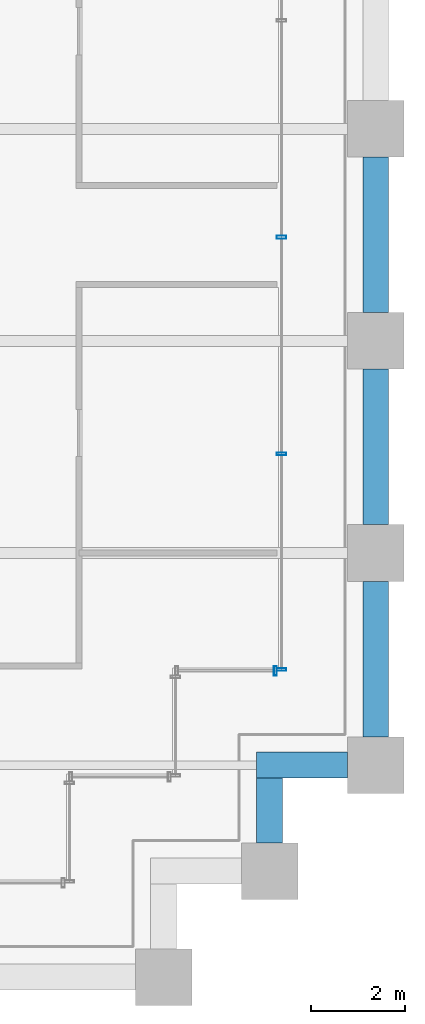
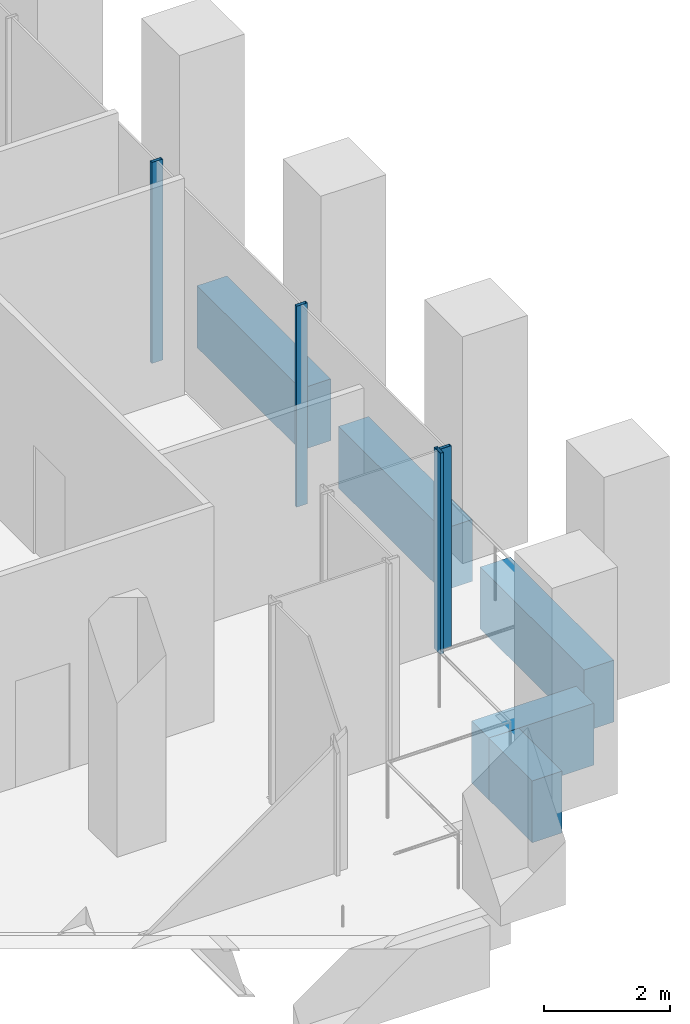
# One storey, part 26 of 36: 5 beams, 4 members, 2 elements without a shape of their own.
"""IFC4 building model written with IfcOpenShell, lengths in metres."""

from ifc_helpers import new_model, si_unit, direction, frame, origin, origin_2d, place, context, subcontext, project, spatial, rectangle, hollow_rectangle, extrude, material, material_profile, profile_set, type_object, element, aggregate, save


model = new_model("IFC4")

# Units and contexts
model_context = context("Model", 3, precision=1e-05, world=origin(), true_north=direction((0.0, 1.0)))
body_context = subcontext(model_context, "Body", "Model", "MODEL_VIEW")
ifc_project = project(units=[si_unit("LENGTHUNIT", "METRE"), si_unit("AREAUNIT", "SQUARE_METRE"), si_unit("VOLUMEUNIT", "CUBIC_METRE"), si_unit("PLANEANGLEUNIT", "RADIAN"), si_unit("MASSUNIT", "GRAM", prefix="KILO")], contexts=[model_context])

# Site, building, storey
site_placement = place(None, origin())
site = spatial("IfcSite", under=ifc_project, at=site_placement, CompositionType="ELEMENT")
building_placement = place(site_placement, origin())
building = spatial("IfcBuilding", under=site, at=building_placement, Name="Altepetl Exchange Towers", CompositionType="ELEMENT")
storey_placement = place(building_placement, frame((0.0, 0.0, 34.199951171875)))
storey = spatial("IfcBuildingStorey", under=building, at=storey_placement, Name="L07", CompositionType="ELEMENT", Elevation=34.199951171875)

# Curtain wall, member
ifc_material_1 = material(Name="Aluminium 6063-T6 glazing", Category="aluminium")
curtain_wall_type = type_object("IfcCurtainWallType", Name="Trading floor glazing system", PredefinedType="NOTDEFINED", material=ifc_material_1)
curtain_wall_1_placement = place(storey_placement, origin())
curtain_wall_1 = element("IfcCurtainWall", 1, at=curtain_wall_1_placement, inside=storey, type_object=curtain_wall_type, Name="CW2 run", PredefinedType="NOTDEFINED")
ifc_material_2 = material(Name="Aluminium 6063-T6", Category="aluminium")
ifc_material_profile_1 = material_profile(ifc_material_2, hollow_rectangle(XDim=0.06005859375, YDim=0.199951171875, WallThickness=0.0029296875, at=origin_2d()), Name="Mullion 60x200 aluminium")
ifc_profile_set_1 = profile_set([ifc_material_profile_1], Name="Aluminium 6063-T6")
member_type = type_object("IfcMemberType", Name="Mullion 60x200 aluminium", PredefinedType="MULLION", material=ifc_profile_set_1)
member_1_placement = place(storey_placement, frame((123.8701171875, 33.5, 0.0)))
member_1 = element("IfcMember", 2, at=member_1_placement, type_object=member_type, Name="MU2 mullion", PredefinedType="MULLION", context=body_context, shape_type="SweptSolid", body=[
    extrude(hollow_rectangle(XDim=0.06005859375, YDim=0.199951171875, WallThickness=0.0029296875, at=origin_2d()), origin(), (0.0, 0.0, 1.0), 3.900146484375),
])
aggregate(curtain_wall_1, [member_1])

# Curtain wall, members
curtain_wall_2_placement = place(storey_placement, origin())
curtain_wall_2 = element("IfcCurtainWall", 3, at=curtain_wall_2_placement, inside=storey, type_object=curtain_wall_type, Name="CW2 run", PredefinedType="NOTDEFINED")
member_2_placement = place(storey_placement, frame((124.0, 33.530029296875, 0.0), z_axis=(0.0, 0.0, 1.0), x_axis=(0.0, 1.0, 0.0)))
member_2 = element("IfcMember", 4, at=member_2_placement, type_object=member_type, Name="MU2 mullion", PredefinedType="MULLION", context=body_context, shape_type="SweptSolid", body=[
    extrude(hollow_rectangle(XDim=0.06005859375, YDim=0.199951171875, WallThickness=0.0029296875, at=origin_2d()), origin(), (0.0, 0.0, 1.0), 3.900146484375),
])
member_3_placement = place(storey_placement, frame((124.0, 38.10009765625, 0.0), z_axis=(0.0, 0.0, 1.0), x_axis=(0.0, 1.0, 0.0)))
member_3 = element("IfcMember", 5, at=member_3_placement, type_object=member_type, Name="MU2 mullion", PredefinedType="MULLION", context=body_context, shape_type="SweptSolid", body=[
    extrude(hollow_rectangle(XDim=0.06005859375, YDim=0.199951171875, WallThickness=0.0029296875, at=origin_2d()), origin(), (0.0, 0.0, 1.0), 3.900146484375),
])
member_4_placement = place(storey_placement, frame((124.0, 42.699951171875, 0.0), z_axis=(0.0, 0.0, 1.0), x_axis=(0.0, 1.0, 0.0)))
member_4 = element("IfcMember", 6, at=member_4_placement, type_object=member_type, Name="MU2 mullion", PredefinedType="MULLION", context=body_context, shape_type="SweptSolid", body=[
    extrude(hollow_rectangle(XDim=0.06005859375, YDim=0.199951171875, WallThickness=0.0029296875, at=origin_2d()), origin(), (0.0, 0.0, 1.0), 3.900146484375),
])
aggregate(curtain_wall_2, [member_2, member_3, member_4])

# Beams
ifc_material_3 = material(Name="Concrete C50/60 precast with cantera blanca facing", Category="concrete")
ifc_material_profile_2 = material_profile(ifc_material_3, rectangle(XDim=0.550048828125, YDim=1.199951171875, at=origin_2d()), Name="550 x 1200")
ifc_profile_set_2 = profile_set([ifc_material_profile_2], Name="Concrete C50/60 precast with cantera blanca facing")
beam_type = type_object("IfcBeamType", Name="Spandrel beam 550x1200 cantera blanca", PredefinedType="SPANDREL", material=ifc_profile_set_2)
beam_1_placement = place(storey_placement, frame((123.75, 29.85009765625, -0.77490234375), z_axis=(0.0, 1.0, 0.0), x_axis=(-1.0, 0.0, 0.0)))
element("IfcBeam", 7, at=beam_1_placement, inside=storey, type_object=beam_type, Name="sp:B:L07:007", PredefinedType="SPANDREL", context=body_context, shape_type="SweptSolid", body=[
    extrude(rectangle(XDim=0.550048828125, YDim=1.199951171875, at=origin_2d()), origin(), (0.0, 0.0, 1.0), 1.375),
])
beam_2_placement = place(storey_placement, frame((123.47509765625, 31.5, -0.77490234375), z_axis=(1.0, 0.0, 0.0), x_axis=(0.0, 1.0, 0.0)))
element("IfcBeam", 8, at=beam_2_placement, inside=storey, type_object=beam_type, Name="sp:B:L07:008", PredefinedType="SPANDREL", context=body_context, shape_type="SweptSolid", body=[
    extrude(rectangle(XDim=0.550048828125, YDim=1.199951171875, at=origin_2d()), origin(), (0.0, 0.0, 1.0), 1.9248046875),
])
for number, where, z_axis, x_axis, name in (
    (9, (126.0, 32.10009765625, -0.77490234375), (0.0, 1.0, 0.0), (-1.0, 0.0, 0.0), "sp:B:L07:009"),
    (10, (126.0, 36.60009765625, -0.77490234375), (0.0, 1.0, 0.0), (-1.0, 0.0, 0.0), "sp:B:L07:010"),
    (11, (126.0, 41.10009765625, -0.77490234375), (0.0, 1.0, 0.0), (-1.0, 0.0, 0.0), "sp:B:L07:011"),
):
    element("IfcBeam", number, at=place(storey_placement, frame(where, z_axis=z_axis, x_axis=x_axis)), inside=storey, type_object=beam_type, Name=name, PredefinedType="SPANDREL", context=body_context, shape_type="SweptSolid", body=[
        extrude(rectangle(XDim=0.550048828125, YDim=1.199951171875, at=origin_2d()), origin(), (0.0, 0.0, 1.0), 3.2998046875),
    ])

save(model, "model.ifc")
